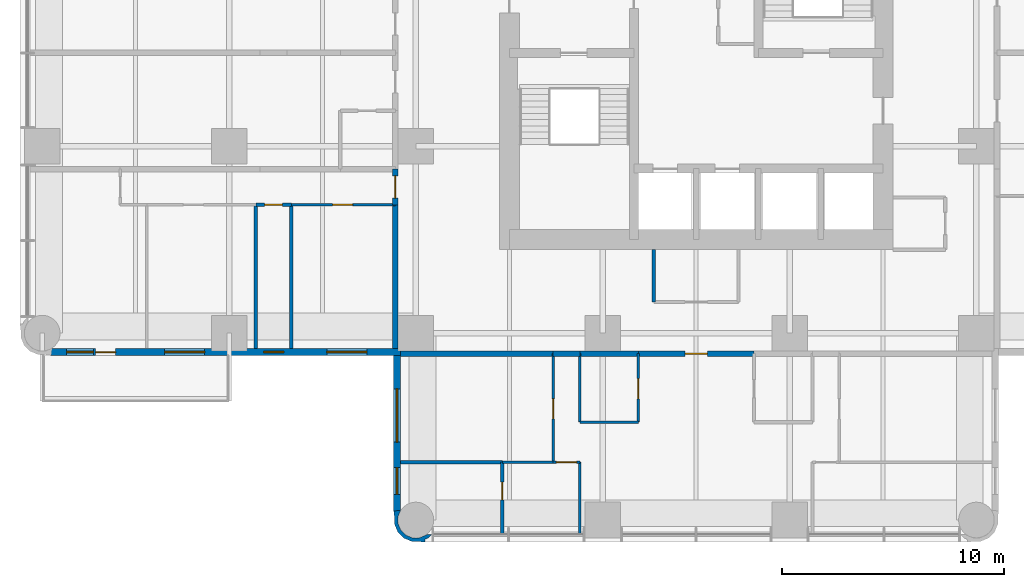
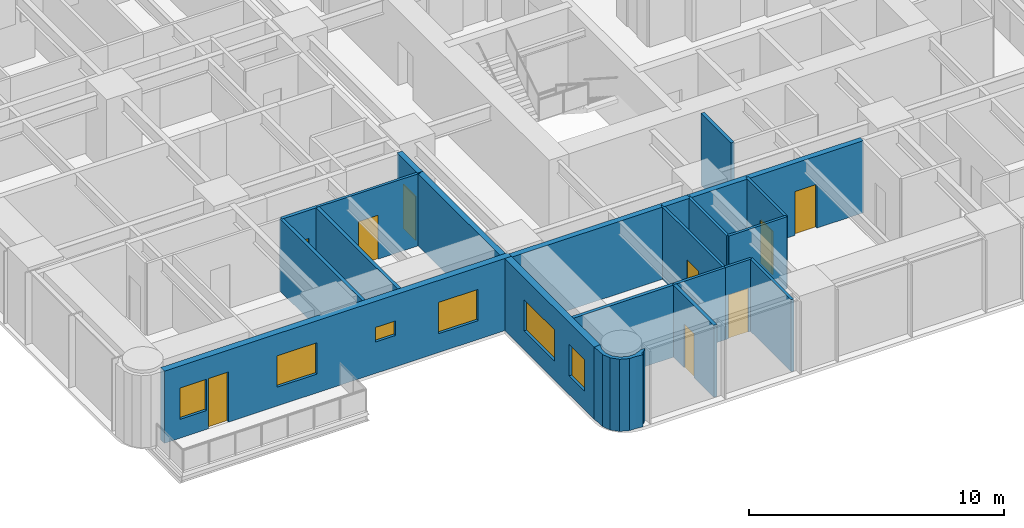
# One storey, part 6 of 14: 23 walls, 9 doors, 6 windows, 15 openings.
"""IFC4 building model written with IfcOpenShell, lengths in metres."""

import ifcopenshell
import ifcopenshell.guid

model = None  # the IFC model being written
_history = None  # IfcOwnerHistory: only IFC2X3 demands one
_inside = {}  # id of a spatial element -> (the spatial element, [elements in it])
_under = {}  # id of a project, library or spatial element -> (it, [spatial elements below it])
_declared = {}  # id of a project -> (the project, [libraries it declares])
_typed = {}  # id of a type object -> (the type object, [elements of that type])
_made_of = {}  # id of a material, layer set ... -> (it, [elements and type objects made of it])


def new_model(schema):
    """Start an empty IFC model of exactly this schema.

    Asked for "IFC4X3", IfcOpenShell would pick the latest addendum, in which some entities
    have other attributes; the version numbers below select the first issue.
    IFC2X3 requires an IfcOwnerHistory on every rooted entity: one is made here for all.
    """
    global model, _history
    if schema == "IFC4X3":
        model = ifcopenshell.file(schema_version=(4, 3, 0, 0))
    else:
        model = ifcopenshell.file(schema=schema)
    _inside.clear()
    _under.clear()
    _declared.clear()
    _typed.clear()
    _made_of.clear()
    _history = None
    if model.schema == "IFC2X3":
        org = make("IfcOrganization", Name="unknown")
        user = make(
            "IfcPersonAndOrganization",
            ThePerson=make("IfcPerson", FamilyName="unknown"),
            TheOrganization=org,
        )
        app = make(
            "IfcApplication",
            ApplicationDeveloper=org,
            Version="unknown",
            ApplicationFullName="unknown",
            ApplicationIdentifier="unknown",
        )
        _history = make(
            "IfcOwnerHistory",
            OwningUser=user,
            OwningApplication=app,
            ChangeAction="ADDED",
            CreationDate=0,
        )
    return model


def make(cls, **values):
    """One entity of the class cls with the attributes given. An attribute that is None is left unset."""
    return model.create_entity(
        cls, **{name: value for name, value in values.items() if value is not None}
    )


def rooted(cls, **values):
    """An entity with a GlobalId (a new one), such as an element, a storey or a relation."""
    return make(cls, GlobalId=ifcopenshell.guid.new(), OwnerHistory=_history, **values)


def si_unit(unit_type, name, prefix=None):
    """IfcSIUnit, for example si_unit("LENGTHUNIT", "METRE", prefix="MILLI")."""
    return make("IfcSIUnit", UnitType=unit_type, Prefix=prefix, Name=name)


def assignment(units):
    """IfcUnitAssignment: the units of a project."""
    return None if units is None else make("IfcUnitAssignment", Units=units)


def point(xyz):
    """IfcCartesianPoint."""
    return None if xyz is None else make("IfcCartesianPoint", Coordinates=xyz)


def direction(xyz):
    """IfcDirection."""
    return None if xyz is None else make("IfcDirection", DirectionRatios=xyz)


def frame(location, z_axis=None, x_axis=None):
    """IfcAxis2Placement3D, a coordinate frame: its origin and axes. An axis left out is left unset."""
    return make(
        "IfcAxis2Placement3D",
        Location=point(location),
        Axis=direction(z_axis),
        RefDirection=direction(x_axis),
    )


def frame_2d(location, x_axis=None):
    """IfcAxis2Placement2D, a coordinate frame in the plane: its origin and x axis."""
    return make(
        "IfcAxis2Placement2D", Location=point(location), RefDirection=direction(x_axis)
    )


def origin():
    """The frame at (0, 0, 0) with its axes left unset."""
    return frame((0.0, 0.0, 0.0))


def place(relative_to, where):
    """IfcLocalPlacement: puts the frame where relative to a parent placement (None: the world)."""
    return make(
        "IfcLocalPlacement", PlacementRelTo=relative_to, RelativePlacement=where
    )


def context(
    kind, dimensions, precision=None, world=None, true_north=None, identifier=None
):
    """IfcGeometricRepresentationContext, for example the 3D "Model" context."""
    return make(
        "IfcGeometricRepresentationContext",
        ContextIdentifier=identifier,
        ContextType=kind,
        CoordinateSpaceDimension=dimensions,
        Precision=precision,
        WorldCoordinateSystem=world,
        TrueNorth=true_north,
    )


def subcontext(parent, identifier, kind, view, scale=None):
    """IfcGeometricRepresentationSubContext, for example "Body" below "Model"."""
    return make(
        "IfcGeometricRepresentationSubContext",
        ContextIdentifier=identifier,
        ContextType=kind,
        ParentContext=parent,
        TargetScale=scale,
        TargetView=view,
    )


def project(units=None, contexts=None):
    """IfcProject with its units and contexts."""
    return rooted(
        "IfcProject",
        Name="project",
        RepresentationContexts=contexts,
        UnitsInContext=assignment(units),
    )


def spatial(cls, under=None, at=None, **own):
    """A site, building, storey or space (cls), placed at a placement, below another one or the project."""
    s = rooted(cls, ObjectPlacement=at, **own)
    if under is not None:
        _under.setdefault(under.id(), (under, []))[1].append(s)
    return s


def polyline(points):
    """IfcPolyline through the points."""
    return make("IfcPolyline", Points=[point(p) for p in points])


def profile(cls, at=None, kind="AREA", **sizes):
    """A parametric profile (cls). Its sizes go by their IFC names, for example OverallWidth=200.0."""
    return make(cls, ProfileType=kind, Position=at, **sizes)


def rectangle(**sizes):
    """IfcRectangleProfileDef."""
    return profile("IfcRectangleProfileDef", **sizes)


def outline(outer, holes=None, kind="AREA"):
    """IfcArbitraryClosedProfileDef: a profile drawn as a closed curve; with holes, ...WithVoids."""
    if holes is None:
        return make("IfcArbitraryClosedProfileDef", ProfileType=kind, OuterCurve=outer)
    return make(
        "IfcArbitraryProfileDefWithVoids",
        ProfileType=kind,
        OuterCurve=outer,
        InnerCurves=holes,
    )


def extrude(swept, where, along, depth):
    """IfcExtrudedAreaSolid: the profile swept, set in the frame where, extruded along a direction by depth."""
    return make(
        "IfcExtrudedAreaSolid",
        SweptArea=swept,
        Position=where,
        ExtrudedDirection=direction(along),
        Depth=depth,
    )


def shape(context_of_items, identifier, shape_type, items):
    """IfcShapeRepresentation: the items that make up one representation, for example the "Body"."""
    return make(
        "IfcShapeRepresentation",
        ContextOfItems=context_of_items,
        RepresentationIdentifier=identifier,
        RepresentationType=shape_type,
        Items=items,
    )


def material(Name=None, Category=None):
    """IfcMaterial."""
    return make("IfcMaterial", Name=Name, Category=Category)


def layer(
    of_material, thickness, ventilated=None, Name=None, Category=None, Priority=None
):
    """IfcMaterialLayer: one layer of a wall or slab, of a material (None: an air gap)."""
    return make(
        "IfcMaterialLayer",
        Material=of_material,
        LayerThickness=thickness,
        IsVentilated=ventilated,
        Name=Name,
        Category=Category,
        Priority=Priority,
    )


def layer_set(layers, Name=None):
    """IfcMaterialLayerSet."""
    return make("IfcMaterialLayerSet", MaterialLayers=layers, LayerSetName=Name)


def made_of(thing, what):
    """Note that an element or type object is made of a material, layer set ...; save() writes the relation."""
    if what is not None:
        _made_of.setdefault(what.id(), (what, []))[1].append(thing)
    return thing


def type_object(cls, material=None, **own):
    """A type object (cls), such as IfcWallType, which elements share."""
    return made_of(rooted(cls, **own), material)


def element(
    cls,
    number,
    at=None,
    inside=None,
    cuts=None,
    type_object=None,
    material=None,
    context=None,
    identifier="Body",
    shape_type=None,
    held_by="IfcProductDefinitionShape",
    body=None,
    shapes=None,
    **own,
):
    """One element of the class cls, such as IfcWall. Its Tag is "e" and its number.

    at: its placement. inside: the storey or other place that contains it. cuts: it is an
    opening in that element (IfcRelVoidsElement). A single representation is given by context,
    identifier, shape_type and body (its items); several are given by shapes. held_by: the class
    of the entity that holds the representations. save() writes the other relations.
    """
    e = rooted(cls, Tag="e%d" % number, ObjectPlacement=at, **own)
    if body is not None:
        shapes = [shape(context, identifier, shape_type, body)]
    if shapes is not None:
        e.Representation = make(held_by, Representations=shapes)
    if inside is not None:
        _inside.setdefault(inside.id(), (inside, []))[1].append(e)
    if cuts is not None:
        rooted(
            "IfcRelVoidsElement", RelatingBuildingElement=cuts, RelatedOpeningElement=e
        )
    if type_object is not None:
        _typed.setdefault(type_object.id(), (type_object, []))[1].append(e)
    return made_of(e, material)


def fill(opening, filler):
    """IfcRelFillsElement: the door or window that sits in an opening."""
    return rooted(
        "IfcRelFillsElement",
        RelatingOpeningElement=opening,
        RelatedBuildingElement=filler,
    )


def aggregate(whole, parts):
    """IfcRelAggregates: a whole, such as a stair, and the parts it consists of."""
    return rooted("IfcRelAggregates", RelatingObject=whole, RelatedObjects=parts)


def save(model, path):
    """Write the relations noted so far, then the file.

    IfcRelAggregates (storeys below a building ...), IfcRelContainedInSpatialStructure (elements
    in a storey), IfcRelDefinesByType, IfcRelAssociatesMaterial and IfcRelDeclares: one each for
    every whole, place, type object, material and project.
    """
    for whole, parts in _under.values():
        aggregate(whole, parts)
    for where, things in _inside.values():
        rooted(
            "IfcRelContainedInSpatialStructure",
            RelatedElements=things,
            RelatingStructure=where,
        )
    for kind, things in _typed.values():
        rooted("IfcRelDefinesByType", RelatedObjects=things, RelatingType=kind)
    for what, things in _made_of.values():
        rooted("IfcRelAssociatesMaterial", RelatedObjects=things, RelatingMaterial=what)
    for by, libraries in _declared.values():
        rooted("IfcRelDeclares", RelatingContext=by, RelatedDefinitions=libraries)
    model.write(path)


model = new_model("IFC4")

# Units and contexts
model_context = context("Model", 3, precision=1e-05, world=origin(), true_north=direction((0.0, 1.0)))
body_context = subcontext(model_context, "Body", "Model", "MODEL_VIEW")
ifc_project = project(units=[si_unit("LENGTHUNIT", "METRE"), si_unit("AREAUNIT", "SQUARE_METRE"), si_unit("VOLUMEUNIT", "CUBIC_METRE"), si_unit("PLANEANGLEUNIT", "RADIAN"), si_unit("MASSUNIT", "GRAM", prefix="KILO")], contexts=[model_context])

# Site, building, storey
site_placement = place(None, origin())
site = spatial("IfcSite", under=ifc_project, at=site_placement, CompositionType="ELEMENT")
building_placement = place(site_placement, origin())
building = spatial("IfcBuilding", under=site, at=building_placement, Name="Torre Alcanfor", CompositionType="ELEMENT")
storey_placement = place(building_placement, frame((0.0, 0.0, 141.300048828125)))
storey = spatial("IfcBuildingStorey", under=building, at=storey_placement, Name="L36", CompositionType="ELEMENT", Elevation=141.300048828125)

# Wall, opening, door
ifc_material_1 = material(Name="Concrete block masonry, hollow blocks NMX-C-404 9 MPa", Category="masonry")
ifc_layer_1 = layer(ifc_material_1, 0.25)
ifc_layer_set_1 = layer_set([ifc_layer_1], Name="Apartment entrance wall 250 EI 60")
wall_type_1 = type_object("IfcWallType", Name="Apartment entrance wall 250 EI 60", PredefinedType="PARTITIONING", material=ifc_layer_set_1)
wall_1_placement = place(storey_placement, frame((32.0, 15.875, 0.0), z_axis=(0.0, 0.0, 1.0), x_axis=(-1.0, 0.0, 0.0)))
wall_1 = element("IfcWall", 1, at=wall_1_placement, inside=storey, type_object=wall_type_1, Name="Partition L36-CORR / L36-SX-ZAG", PredefinedType="PARTITIONING", context=body_context, shape_type="SweptSolid", body=[
    extrude(rectangle(XDim=5.199951171875, YDim=0.25, at=frame_2d((2.60009765625, 0.0))), origin(), (0.0, 0.0, 1.0), 3.449951171875),
])
opening_1_placement = place(wall_1_placement, frame((2.10009765625, 0.0, 0.0)))
opening_1 = element("IfcOpeningElement", 2, at=opening_1_placement, cuts=wall_1, Name="Opening D-A1", PredefinedType="OPENING", context=body_context, shape_type="SweptSolid", body=[
    extrude(rectangle(XDim=1.0, YDim=2.10009765625, at=frame_2d((0.5, 1.050048828125))), frame((0.0, 0.135009765625, 0.0), z_axis=(0.0, -1.0, 0.0), x_axis=(1.0, 0.0, 0.0)), (0.0, 0.0, 1.0), 0.27001953125),
])
ifc_material_2 = material(Name="Galvanised steel sheet ASTM A653", Category="steel")
door_type_1 = type_object("IfcDoorType", Name="Apartment entrance door FD60 1000x2100", OperationType="SINGLE_SWING_LEFT", PredefinedType="DOOR", material=ifc_material_2)
door_1_placement = place(opening_1_placement, origin())
door_1 = element("IfcDoor", 3, at=door_1_placement, inside=storey, type_object=door_type_1, Name="Apartment entrance L36-SX", OperationType="SINGLE_SWING_LEFT", OverallHeight=2.10009765625, OverallWidth=1.0, PredefinedType="DOOR", context=body_context, shape_type="SweptSolid", body=[
    extrude(rectangle(XDim=1.0, YDim=2.10009765625, at=frame_2d((0.5, 1.050048828125))), frame((0.0, 0.02490234375, 0.0), z_axis=(0.0, -1.0, 0.0), x_axis=(1.0, 0.0, 0.0)), (0.0, 0.0, 1.0), 0.050048828125),
])
fill(opening_1, door_1)

# Walls
wall_2_placement = place(storey_placement, frame((26.800048828125, 15.875, 0.0), z_axis=(0.0, 0.0, 1.0), x_axis=(-1.0, 0.0, 0.0)))
element("IfcWall", 4, at=wall_2_placement, inside=storey, type_object=wall_type_1, Name="Partition L36-CORR / L36-SX-KITCHEN", PredefinedType="PARTITIONING", context=body_context, shape_type="SweptSolid", body=[
    extrude(rectangle(XDim=2.629150390625, YDim=0.25, at=frame_2d((1.314453125, 0.0))), origin(), (0.0, 0.0, 1.0), 3.449951171875),
])
wall_3_placement = place(storey_placement, frame((24.1708984375, 15.875, 0.0), z_axis=(0.0, 0.0, 1.0), x_axis=(-1.0, 0.0, 0.0)))
element("IfcWall", 5, at=wall_3_placement, inside=storey, type_object=wall_type_1, Name="Partition L36-CORR / L36-SX-LIVING", PredefinedType="PARTITIONING", context=body_context, shape_type="SweptSolid", body=[
    extrude(rectangle(XDim=1.199951171875, YDim=0.25, at=frame_2d((0.60009765625, 0.0))), origin(), (0.0, 0.0, 1.0), 3.449951171875),
])
wall_4_placement = place(storey_placement, frame((22.970947265625, 15.875, 0.0), z_axis=(0.0, 0.0, 1.0), x_axis=(-1.0, 0.0, 0.0)))
element("IfcWall", 6, at=wall_4_placement, inside=storey, type_object=wall_type_1, Name="Partition L36-CORR / L36-SX-BED3", PredefinedType="PARTITIONING", context=body_context, shape_type="SweptSolid", body=[
    extrude(rectangle(XDim=6.870849609375, YDim=0.25, at=frame_2d((3.435546875, 0.0))), origin(), (0.0, 0.0, 1.0), 3.449951171875),
])

# Wall, opening, door
wall_5_placement = place(storey_placement, frame((15.875, 22.571044921875, 0.0), z_axis=(0.0, 0.0, 1.0), x_axis=(0.0, 1.0, 0.0)))
wall_5 = element("IfcWall", 7, at=wall_5_placement, inside=storey, type_object=wall_type_1, Name="Partition L36-CORR / L36-W1B-HALL", PredefinedType="PARTITIONING", context=body_context, shape_type="SweptSolid", body=[
    extrude(rectangle(XDim=1.599853515625, YDim=0.25, at=frame_2d((0.7998046875, 0.0))), origin(), (0.0, 0.0, 1.0), 3.449951171875),
])
opening_2_placement = place(wall_5_placement, frame((0.300048828125, 0.0, 0.0)))
opening_2 = element("IfcOpeningElement", 8, at=opening_2_placement, cuts=wall_5, Name="Opening D-A1", PredefinedType="OPENING", context=body_context, shape_type="SweptSolid", body=[
    extrude(rectangle(XDim=1.0, YDim=2.10009765625, at=frame_2d((0.5, 1.050048828125))), frame((0.0, 0.135009765625, 0.0), z_axis=(0.0, -1.0, 0.0), x_axis=(1.0, 0.0, 0.0)), (0.0, 0.0, 1.0), 0.27001953125),
])
door_2_placement = place(opening_2_placement, origin())
door_2 = element("IfcDoor", 9, at=door_2_placement, inside=storey, type_object=door_type_1, Name="Apartment entrance L36-W1B", OperationType="SINGLE_SWING_LEFT", OverallHeight=2.10009765625, OverallWidth=1.0, PredefinedType="DOOR", context=body_context, shape_type="SweptSolid", body=[
    extrude(rectangle(XDim=1.0, YDim=2.10009765625, at=frame_2d((0.5, 1.050048828125))), frame((0.0, 0.02490234375, 0.0), z_axis=(0.0, -1.0, 0.0), x_axis=(1.0, 0.0, 0.0)), (0.0, 0.0, 1.0), 0.050048828125),
])
fill(opening_2, door_2)

# Wall
wall_6_placement = place(storey_placement, frame((15.875, 16.10009765625, 0.0), z_axis=(0.0, 0.0, 1.0), x_axis=(0.0, 1.0, 0.0)))
element("IfcWall", 10, at=wall_6_placement, inside=storey, type_object=wall_type_1, Name="Partition L36-CORR / L36-W1B-BED2", PredefinedType="PARTITIONING", context=body_context, shape_type="SweptSolid", body=[
    extrude(rectangle(XDim=6.470947265625, YDim=0.25, at=frame_2d((3.2353515625, 0.0))), origin(), (0.0, 0.0, 1.0), 3.449951171875),
])

# Wall, opening, door
ifc_material_3 = material(Name="Gypsum board on steel studs", Category="steel")
ifc_layer_2 = layer(ifc_material_3, 0.1201171875)
ifc_layer_set_2 = layer_set([ifc_layer_2], Name="Apartment partition 120")
wall_type_2 = type_object("IfcWallType", Name="Apartment partition 120", PredefinedType="PARTITIONING", material=ifc_layer_set_2)
wall_7_placement = place(storey_placement, frame((26.800048828125, 15.875, 0.0), z_axis=(0.0, 0.0, 1.0), x_axis=(0.0, -1.0, 0.0)))
wall_7 = element("IfcWall", 11, at=wall_7_placement, inside=storey, type_object=wall_type_2, Name="Partition L36-SX-ZAG / L36-SX-KITCHEN", PredefinedType="PARTITIONING", context=body_context, shape_type="SweptSolid", body=[
    extrude(rectangle(XDim=3.074951171875, YDim=0.1201171875, at=frame_2d((1.53759765625, 0.0))), origin(), (0.0, 0.0, 1.0), 3.449951171875),
])
opening_3_placement = place(wall_7_placement, frame((1.125, 0.0, 0.0)))
opening_3 = element("IfcOpeningElement", 12, at=opening_3_placement, cuts=wall_7, Name="Opening D-R1", PredefinedType="OPENING", context=body_context, shape_type="SweptSolid", body=[
    extrude(rectangle(XDim=0.89990234375, YDim=2.10009765625, at=frame_2d((0.449951171875, 1.050048828125))), frame((0.0, 0.070068359375, 0.0), z_axis=(0.0, -1.0, 0.0), x_axis=(1.0, 0.0, 0.0)), (0.0, 0.0, 1.0), 0.14013671875),
])
ifc_material_4 = material(Name="Timber", Category="wood")
door_type_2 = type_object("IfcDoorType", Name="Internal door 900x2100", OperationType="SINGLE_SWING_LEFT", PredefinedType="DOOR", material=ifc_material_4)
door_3_placement = place(opening_3_placement, frame((0.89990234375, 0.0, 0.0), z_axis=(0.0, 0.0, 1.0), x_axis=(-1.0, 0.0, 0.0)))
door_3 = element("IfcDoor", 13, at=door_3_placement, inside=storey, type_object=door_type_2, Name="Door L36-SX kitchen", OperationType="SINGLE_SWING_LEFT", OverallHeight=2.10009765625, OverallWidth=0.89990234375, PredefinedType="DOOR", context=body_context, shape_type="SweptSolid", body=[
    extrude(rectangle(XDim=0.89990234375, YDim=2.10009765625, at=frame_2d((0.449951171875, 1.050048828125))), frame((0.0, 0.025146484375, 0.0), z_axis=(0.0, -1.0, 0.0), x_axis=(1.0, 0.0, 0.0)), (0.0, 0.0, 1.0), 0.050048828125),
])
fill(opening_3, door_3)

# Walls
wall_8_placement = place(storey_placement, frame((24.1708984375, 15.875, 0.0), z_axis=(0.0, 0.0, 1.0), x_axis=(0.0, -1.0, 0.0)))
element("IfcWall", 14, at=wall_8_placement, inside=storey, type_object=wall_type_2, Name="Partition L36-SX-KITCHEN / L36-SX-LIVING", PredefinedType="PARTITIONING", context=body_context, shape_type="SweptSolid", body=[
    extrude(rectangle(XDim=3.074951171875, YDim=0.1201171875, at=frame_2d((1.53759765625, 0.0))), origin(), (0.0, 0.0, 1.0), 3.449951171875),
])
wall_9_placement = place(storey_placement, frame((24.1708984375, 12.800048828125, 0.0), z_axis=(0.0, 0.0, 1.0), x_axis=(1.0, 0.0, 0.0)))
element("IfcWall", 15, at=wall_9_placement, inside=storey, type_object=wall_type_2, Name="Partition L36-SX-KITCHEN / L36-SX-LIVING", PredefinedType="PARTITIONING", context=body_context, shape_type="SweptSolid", body=[
    extrude(rectangle(XDim=2.629150390625, YDim=0.1201171875, at=frame_2d((1.314453125, 0.0))), origin(), (0.0, 0.0, 1.0), 3.449951171875),
])

# Wall, opening, door
wall_10_placement = place(storey_placement, frame((22.970947265625, 11.0, 0.0), z_axis=(0.0, 0.0, 1.0), x_axis=(0.0, 1.0, 0.0)))
wall_10 = element("IfcWall", 16, at=wall_10_placement, inside=storey, type_object=wall_type_2, Name="Partition L36-SX-LIVING / L36-SX-BED3", PredefinedType="PARTITIONING", context=body_context, shape_type="SweptSolid", body=[
    extrude(rectangle(XDim=4.875, YDim=0.1201171875, at=frame_2d((2.4375, 0.0))), origin(), (0.0, 0.0, 1.0), 3.449951171875),
])
opening_4_placement = place(wall_10_placement, frame((1.949951171875, 0.0, 0.0)))
opening_4 = element("IfcOpeningElement", 17, at=opening_4_placement, cuts=wall_10, Name="Opening D-R1", PredefinedType="OPENING", context=body_context, shape_type="SweptSolid", body=[
    extrude(rectangle(XDim=0.89990234375, YDim=2.10009765625, at=frame_2d((0.449951171875, 1.050048828125))), frame((0.0, 0.070068359375, 0.0), z_axis=(0.0, -1.0, 0.0), x_axis=(1.0, 0.0, 0.0)), (0.0, 0.0, 1.0), 0.14013671875),
])
door_4_placement = place(opening_4_placement, origin())
door_4 = element("IfcDoor", 18, at=door_4_placement, inside=storey, type_object=door_type_2, Name="Door L36-SX bed3", OperationType="SINGLE_SWING_LEFT", OverallHeight=2.10009765625, OverallWidth=0.89990234375, PredefinedType="DOOR", context=body_context, shape_type="SweptSolid", body=[
    extrude(rectangle(XDim=0.89990234375, YDim=2.10009765625, at=frame_2d((0.449951171875, 1.050048828125))), frame((0.0, 0.02490234375, 0.0), z_axis=(0.0, -1.0, 0.0), x_axis=(1.0, 0.0, 0.0)), (0.0, 0.0, 1.0), 0.050048828125),
])
fill(opening_4, door_4)

# Wall
wall_11_placement = place(storey_placement, frame((24.1708984375, 7.75, 0.0), z_axis=(0.0, 0.0, 1.0), x_axis=(0.0, 1.0, 0.0)))
element("IfcWall", 19, at=wall_11_placement, inside=storey, type_object=wall_type_2, Name="Partition L36-SX-LIVING / L36-SX-BED1", PredefinedType="PARTITIONING", context=body_context, shape_type="SweptSolid", body=[
    extrude(rectangle(XDim=3.25, YDim=0.1201171875, at=frame_2d((1.625, 0.0))), origin(), (0.0, 0.0, 1.0), 3.449951171875),
])

# Wall, opening, door
wall_12_placement = place(storey_placement, frame((24.1708984375, 11.0, 0.0), z_axis=(0.0, 0.0, 1.0), x_axis=(-1.0, 0.0, 0.0)))
wall_12 = element("IfcWall", 20, at=wall_12_placement, inside=storey, type_object=wall_type_2, Name="Partition L36-SX-LIVING / L36-SX-BED1", PredefinedType="PARTITIONING", context=body_context, shape_type="SweptSolid", body=[
    extrude(rectangle(XDim=1.199951171875, YDim=0.1201171875, at=frame_2d((0.60009765625, 0.0))), origin(), (0.0, 0.0, 1.0), 3.449951171875),
])
opening_5_placement = place(wall_12_placement, frame((0.15087890625, 0.0, 0.0)))
opening_5 = element("IfcOpeningElement", 21, at=opening_5_placement, cuts=wall_12, Name="Opening D-R1", PredefinedType="OPENING", context=body_context, shape_type="SweptSolid", body=[
    extrude(rectangle(XDim=0.89990234375, YDim=2.10009765625, at=frame_2d((0.449951171875, 1.050048828125))), frame((0.0, 0.070068359375, 0.0), z_axis=(0.0, -1.0, 0.0), x_axis=(1.0, 0.0, 0.0)), (0.0, 0.0, 1.0), 0.14013671875),
])
door_5_placement = place(opening_5_placement, origin())
door_5 = element("IfcDoor", 22, at=door_5_placement, inside=storey, type_object=door_type_2, Name="Door L36-SX bed1", OperationType="SINGLE_SWING_LEFT", OverallHeight=2.10009765625, OverallWidth=0.89990234375, PredefinedType="DOOR", context=body_context, shape_type="SweptSolid", body=[
    extrude(rectangle(XDim=0.89990234375, YDim=2.10009765625, at=frame_2d((0.449951171875, 1.050048828125))), frame((0.0, 0.02490234375, 0.0), z_axis=(0.0, -1.0, 0.0), x_axis=(1.0, 0.0, 0.0)), (0.0, 0.0, 1.0), 0.050048828125),
])
fill(opening_5, door_5)

# Wall
wall_13_placement = place(storey_placement, frame((20.68603515625, 11.0, 0.0), z_axis=(0.0, 0.0, 1.0), x_axis=(1.0, 0.0, 0.0)))
element("IfcWall", 23, at=wall_13_placement, inside=storey, type_object=wall_type_2, Name="Partition L36-SX-BED3 / L36-SX-BED1", PredefinedType="PARTITIONING", context=body_context, shape_type="SweptSolid", body=[
    extrude(rectangle(XDim=2.284912109375, YDim=0.1201171875, at=frame_2d((1.142578125, 0.0))), origin(), (0.0, 0.0, 1.0), 3.449951171875),
])

# Wall, opening, door
wall_14_placement = place(storey_placement, frame((11.199951171875, 22.571044921875, 0.0), z_axis=(0.0, 0.0, 1.0), x_axis=(1.0, 0.0, 0.0)))
wall_14 = element("IfcWall", 24, at=wall_14_placement, inside=storey, type_object=wall_type_2, Name="Partition L36-W1B-HALL / L36-W1B-BED2", PredefinedType="PARTITIONING", context=body_context, shape_type="SweptSolid", body=[
    extrude(rectangle(XDim=4.675048828125, YDim=0.1201171875, at=frame_2d((2.33740234375, 0.0))), origin(), (0.0, 0.0, 1.0), 3.449951171875),
])
opening_6_placement = place(wall_14_placement, frame((1.85009765625, 0.0, 0.0)))
opening_6 = element("IfcOpeningElement", 25, at=opening_6_placement, cuts=wall_14, Name="Opening D-R1", PredefinedType="OPENING", context=body_context, shape_type="SweptSolid", body=[
    extrude(rectangle(XDim=0.89990234375, YDim=2.10009765625, at=frame_2d((0.449951171875, 1.050048828125))), frame((0.0, 0.070068359375, 0.0), z_axis=(0.0, -1.0, 0.0), x_axis=(1.0, 0.0, 0.0)), (0.0, 0.0, 1.0), 0.14013671875),
])
door_6_placement = place(opening_6_placement, frame((0.89990234375, 0.0, 0.0), z_axis=(0.0, 0.0, 1.0), x_axis=(-1.0, 0.0, 0.0)))
door_6 = element("IfcDoor", 26, at=door_6_placement, inside=storey, type_object=door_type_2, Name="Door L36-W1B bed2", OperationType="SINGLE_SWING_RIGHT", OverallHeight=2.10009765625, OverallWidth=0.89990234375, PredefinedType="DOOR", context=body_context, shape_type="SweptSolid", body=[
    extrude(rectangle(XDim=0.89990234375, YDim=2.10009765625, at=frame_2d((0.449951171875, 1.050048828125))), frame((0.0, 0.025146484375, 0.0), z_axis=(0.0, -1.0, 0.0), x_axis=(1.0, 0.0, 0.0)), (0.0, 0.0, 1.0), 0.050048828125),
])
fill(opening_6, door_6)

# Wall, openings, door, windows
ifc_material_5 = material(Name="Limestone cladding", Category="masonry")
ifc_layer_3 = layer(ifc_material_5, 0.0400390625, Name="Facing")
ifc_material_6 = material(Name="Ventilated air cavity")
ifc_layer_4 = layer(ifc_material_6, 0.02001953125, ventilated=True, Name="Ventilated joint")
ifc_material_7 = material(Name="Mineral wool insulation", Category="insulation")
ifc_layer_5 = layer(ifc_material_7, 0.10009765625, Name="Insulation")
ifc_material_8 = material(Name="Concrete f'c 35 MPa", Category="concrete")
ifc_layer_6 = layer(ifc_material_8, 0.139892578125, Name="Backing")
ifc_layer_set_3 = layer_set([ifc_layer_3, ifc_layer_4, ifc_layer_5, ifc_layer_6], Name="External wall stone-clad 300")
wall_type_3 = type_object("IfcWallType", Name="External wall stone-clad 300", PredefinedType="SOLIDWALL", material=ifc_layer_set_3)
wall_15_placement = place(storey_placement, frame((0.39990234375, 15.949951171875, 0.0), z_axis=(0.0, 0.0, 1.0), x_axis=(1.0, 0.0, 0.0)))
wall_15 = element("IfcWall", 27, at=wall_15_placement, inside=storey, type_object=wall_type_3, Name="External wall L36 3", PredefinedType="SOLIDWALL", context=body_context, shape_type="SweptSolid", body=[
    extrude(rectangle(XDim=15.7001953125, YDim=0.300048828125, at=frame_2d((7.85009765625, 0.0))), origin(), (0.0, 0.0, 1.0), 3.449951171875),
])
opening_7_placement = place(wall_15_placement, frame((12.39990234375, 0.0, 0.89990234375)))
opening_7 = element("IfcOpeningElement", 28, at=opening_7_placement, cuts=wall_15, Name="Opening W2", PredefinedType="OPENING", context=body_context, shape_type="SweptSolid", body=[
    extrude(rectangle(XDim=1.800048828125, YDim=1.5, at=frame_2d((0.89990234375, 0.75))), frame((0.0, 0.159912109375, 0.0), z_axis=(0.0, -1.0, 0.0), x_axis=(1.0, 0.0, 0.0)), (0.0, 0.0, 1.0), 0.320068359375),
])
opening_8_placement = place(wall_15_placement, frame((9.550048828125, 0.0, 1.5)))
opening_8 = element("IfcOpeningElement", 29, at=opening_8_placement, cuts=wall_15, Name="Opening W3", PredefinedType="OPENING", context=body_context, shape_type="SweptSolid", body=[
    extrude(rectangle(XDim=0.89990234375, YDim=0.699951171875, at=frame_2d((0.449951171875, 0.35009765625))), frame((0.0, 0.159912109375, 0.0), z_axis=(0.0, -1.0, 0.0), x_axis=(1.0, 0.0, 0.0)), (0.0, 0.0, 1.0), 0.320068359375),
])
opening_9_placement = place(wall_15_placement, frame((5.10009765625, 0.0, 0.89990234375)))
opening_9 = element("IfcOpeningElement", 30, at=opening_9_placement, cuts=wall_15, Name="Opening W2", PredefinedType="OPENING", context=body_context, shape_type="SweptSolid", body=[
    extrude(rectangle(XDim=1.800048828125, YDim=1.5, at=frame_2d((0.89990234375, 0.75))), frame((0.0, 0.159912109375, 0.0), z_axis=(0.0, -1.0, 0.0), x_axis=(1.0, 0.0, 0.0)), (0.0, 0.0, 1.0), 0.320068359375),
])
opening_10_placement = place(wall_15_placement, frame((2.0, 0.0, 0.0)))
opening_10 = element("IfcOpeningElement", 31, at=opening_10_placement, cuts=wall_15, Name="Opening D-B1", PredefinedType="OPENING", context=body_context, shape_type="SweptSolid", body=[
    extrude(rectangle(XDim=0.89990234375, YDim=2.39990234375, at=frame_2d((0.449951171875, 1.199951171875))), frame((0.0, 0.159912109375, 0.0), z_axis=(0.0, -1.0, 0.0), x_axis=(1.0, 0.0, 0.0)), (0.0, 0.0, 1.0), 0.320068359375),
])
opening_11_placement = place(wall_15_placement, frame((0.699951171875, 0.0, 0.89990234375)))
opening_11 = element("IfcOpeningElement", 32, at=opening_11_placement, cuts=wall_15, Name="Opening W4", PredefinedType="OPENING", context=body_context, shape_type="SweptSolid", body=[
    extrude(rectangle(XDim=1.199951171875, YDim=1.5, at=frame_2d((0.60009765625, 0.75))), frame((0.0, 0.159912109375, 0.0), z_axis=(0.0, -1.0, 0.0), x_axis=(1.0, 0.0, 0.0)), (0.0, 0.0, 1.0), 0.320068359375),
])
ifc_material_9 = material(Name="Aluminium and glass", Category="aluminium")
door_type_3 = type_object("IfcDoorType", Name="Balcony door glazed 900x2400", OperationType="SINGLE_SWING_LEFT", PredefinedType="DOOR", material=ifc_material_9)
door_7_placement = place(opening_10_placement, origin())
door_7 = element("IfcDoor", 33, at=door_7_placement, inside=storey, type_object=door_type_3, Name="Balcony door L36-W1", OperationType="SINGLE_SWING_RIGHT", OverallHeight=2.39990234375, OverallWidth=0.89990234375, PredefinedType="DOOR", context=body_context, shape_type="SweptSolid", body=[
    extrude(rectangle(XDim=0.89990234375, YDim=2.39990234375, at=frame_2d((0.449951171875, 1.199951171875))), frame((0.0, 0.02490234375, 0.0), z_axis=(0.0, -1.0, 0.0), x_axis=(1.0, 0.0, 0.0)), (0.0, 0.0, 1.0), 0.050048828125),
])
fill(opening_10, door_7)
ifc_material_10 = material(Name="Aluminium frame with clear double glazing", Category="aluminium")
window_type_1 = type_object("IfcWindowType", Name="Window bathroom 900x700", PartitioningType="SINGLE_PANEL", PredefinedType="WINDOW", material=ifc_material_10)
window_1_placement = place(opening_8_placement, origin())
window_1 = element("IfcWindow", 34, at=window_1_placement, inside=storey, type_object=window_type_1, Name="Window W3 L36-W1", OverallHeight=0.699951171875, OverallWidth=0.89990234375, PartitioningType="SINGLE_PANEL", PredefinedType="WINDOW", context=body_context, shape_type="SweptSolid", body=[
    extrude(rectangle(XDim=0.89990234375, YDim=0.699951171875, at=frame_2d((0.449951171875, 0.35009765625))), frame((0.0, 0.030029296875, 0.0), z_axis=(0.0, -1.0, 0.0), x_axis=(1.0, 0.0, 0.0)), (0.0, 0.0, 1.0), 0.06005859375),
])
fill(opening_8, window_1)
ifc_material_11 = material(Name="Aluminium frame with clear double glazing", Category="aluminium")
window_type_2 = type_object("IfcWindowType", Name="Window bedroom 1200x1500", PartitioningType="SINGLE_PANEL", PredefinedType="WINDOW", material=ifc_material_11)
window_2_placement = place(opening_11_placement, origin())
window_2 = element("IfcWindow", 35, at=window_2_placement, inside=storey, type_object=window_type_2, Name="Window W4 L36-W1", OverallHeight=1.5, OverallWidth=1.199951171875, PartitioningType="SINGLE_PANEL", PredefinedType="WINDOW", context=body_context, shape_type="SweptSolid", body=[
    extrude(rectangle(XDim=1.199951171875, YDim=1.5, at=frame_2d((0.60009765625, 0.75))), frame((0.0, 0.030029296875, 0.0), z_axis=(0.0, -1.0, 0.0), x_axis=(1.0, 0.0, 0.0)), (0.0, 0.0, 1.0), 0.06005859375),
])
fill(opening_11, window_2)
ifc_material_12 = material(Name="Aluminium frame with clear double glazing", Category="aluminium")
window_type_3 = type_object("IfcWindowType", Name="Window bedroom 1800x1500", PartitioningType="SINGLE_PANEL", PredefinedType="WINDOW", material=ifc_material_12)
window_3_placement = place(opening_7_placement, origin())
window_3 = element("IfcWindow", 36, at=window_3_placement, inside=storey, type_object=window_type_3, Name="Window W2 L36-W1", OverallHeight=1.5, OverallWidth=1.800048828125, PartitioningType="SINGLE_PANEL", PredefinedType="WINDOW", context=body_context, shape_type="SweptSolid", body=[
    extrude(rectangle(XDim=1.800048828125, YDim=1.5, at=frame_2d((0.89990234375, 0.75))), frame((0.0, 0.030029296875, 0.0), z_axis=(0.0, -1.0, 0.0), x_axis=(1.0, 0.0, 0.0)), (0.0, 0.0, 1.0), 0.06005859375),
])
fill(opening_7, window_3)
window_4_placement = place(opening_9_placement, origin())
window_4 = element("IfcWindow", 37, at=window_4_placement, inside=storey, type_object=window_type_3, Name="Window W2 L36-W1", OverallHeight=1.5, OverallWidth=1.800048828125, PartitioningType="SINGLE_PANEL", PredefinedType="WINDOW", context=body_context, shape_type="SweptSolid", body=[
    extrude(rectangle(XDim=1.800048828125, YDim=1.5, at=frame_2d((0.89990234375, 0.75))), frame((0.0, 0.030029296875, 0.0), z_axis=(0.0, -1.0, 0.0), x_axis=(1.0, 0.0, 0.0)), (0.0, 0.0, 1.0), 0.06005859375),
])
fill(opening_9, window_4)

# Wall, openings, windows
wall_16_placement = place(storey_placement, frame((15.949951171875, 15.800048828125, 0.0), z_axis=(0.0, 0.0, 1.0), x_axis=(0.0, -1.0, 0.0)))
wall_16 = element("IfcWall", 38, at=wall_16_placement, inside=storey, type_object=wall_type_3, Name="External wall L36 4", PredefinedType="SOLIDWALL", context=body_context, shape_type="SweptSolid", body=[
    extrude(rectangle(XDim=7.0, YDim=0.300048828125, at=frame_2d((3.5, 0.0))), origin(), (0.0, 0.0, 1.0), 3.449951171875),
])
opening_12_placement = place(wall_16_placement, frame((1.5, 0.0, 0.89990234375)))
opening_12 = element("IfcOpeningElement", 39, at=opening_12_placement, cuts=wall_16, Name="Opening W1", PredefinedType="OPENING", context=body_context, shape_type="SweptSolid", body=[
    extrude(rectangle(XDim=2.39990234375, YDim=1.5, at=frame_2d((1.199951171875, 0.75))), frame((0.0, 0.159912109375, 0.0), z_axis=(0.0, -1.0, 0.0), x_axis=(1.0, 0.0, 0.0)), (0.0, 0.0, 1.0), 0.320068359375),
])
opening_13_placement = place(wall_16_placement, frame((5.050048828125, 0.0, 0.89990234375)))
opening_13 = element("IfcOpeningElement", 40, at=opening_13_placement, cuts=wall_16, Name="Opening W4", PredefinedType="OPENING", context=body_context, shape_type="SweptSolid", body=[
    extrude(rectangle(XDim=1.199951171875, YDim=1.5, at=frame_2d((0.60009765625, 0.75))), frame((0.0, 0.159912109375, 0.0), z_axis=(0.0, -1.0, 0.0), x_axis=(1.0, 0.0, 0.0)), (0.0, 0.0, 1.0), 0.320068359375),
])
window_5_placement = place(opening_13_placement, origin())
window_5 = element("IfcWindow", 41, at=window_5_placement, inside=storey, type_object=window_type_2, Name="Window W4 L36-S2", OverallHeight=1.5, OverallWidth=1.199951171875, PartitioningType="SINGLE_PANEL", PredefinedType="WINDOW", context=body_context, shape_type="SweptSolid", body=[
    extrude(rectangle(XDim=1.199951171875, YDim=1.5, at=frame_2d((0.60009765625, 0.75))), frame((0.0, 0.030029296875, 0.0), z_axis=(0.0, -1.0, 0.0), x_axis=(1.0, 0.0, 0.0)), (0.0, 0.0, 1.0), 0.06005859375),
])
fill(opening_13, window_5)
ifc_material_13 = material(Name="Aluminium frame with clear double glazing", Category="aluminium")
window_type_4 = type_object("IfcWindowType", Name="Window bedroom 2400x1500", PartitioningType="SINGLE_PANEL", PredefinedType="WINDOW", material=ifc_material_13)
window_6_placement = place(opening_12_placement, origin())
window_6 = element("IfcWindow", 42, at=window_6_placement, inside=storey, type_object=window_type_4, Name="Window W1 L36-S2", OverallHeight=1.5, OverallWidth=2.39990234375, PartitioningType="SINGLE_PANEL", PredefinedType="WINDOW", context=body_context, shape_type="SweptSolid", body=[
    extrude(rectangle(XDim=2.39990234375, YDim=1.5, at=frame_2d((1.199951171875, 0.75))), frame((0.0, 0.030029296875, 0.0), z_axis=(0.0, -1.0, 0.0), x_axis=(1.0, 0.0, 0.0)), (0.0, 0.0, 1.0), 0.06005859375),
])
fill(opening_12, window_6)

# Walls
ifc_material_14 = material(Name="Concrete block masonry, hollow blocks NMX-C-404 9 MPa", Category="masonry")
ifc_layer_7 = layer(ifc_material_14, 0.14990234375)
ifc_layer_set_4 = layer_set([ifc_layer_7], Name="Residents' room partition 150")
wall_type_4 = type_object("IfcWallType", Name="Residents' room partition 150", PredefinedType="PARTITIONING", material=ifc_layer_set_4)
wall_17_placement = place(storey_placement, frame((27.5, 20.550048828125, 0.0), z_axis=(0.0, 0.0, 1.0), x_axis=(0.0, -1.0, 0.0)))
element("IfcWall", 43, at=wall_17_placement, inside=storey, type_object=wall_type_4, Name="Partition L36-CORR / L36-G05", PredefinedType="PARTITIONING", context=body_context, shape_type="SweptSolid", body=[
    extrude(rectangle(XDim=2.35009765625, YDim=0.14990234375, at=frame_2d((1.175048828125, 0.0))), origin(), (0.0, 0.0, 1.0), 3.449951171875),
])
ifc_layer_8 = layer(ifc_material_5, 0.0400390625, Name="Facing")
ifc_layer_9 = layer(ifc_material_6, 0.02001953125, ventilated=True, Name="Ventilated joint")
ifc_layer_10 = layer(ifc_material_7, 0.10009765625, Name="Insulation")
ifc_layer_11 = layer(ifc_material_8, 0.139892578125, Name="Backing")
ifc_layer_set_5 = layer_set([ifc_layer_8, ifc_layer_9, ifc_layer_10, ifc_layer_11], Name="Rounded corner pier stone-clad 300")
wall_type_5 = type_object("IfcWallType", Name="Rounded corner pier stone-clad 300", PredefinedType="SOLIDWALL", material=ifc_layer_set_5)
wall_18_placement = place(storey_placement, frame((15.982940512, 8.726823795, 0.0), z_axis=(0.0, 0.0, 1.0), x_axis=(-0.343276641956, -0.93923434088, 0.0)))
element("IfcWall", 44, at=wall_18_placement, inside=storey, type_object=wall_type_5, Name="Corner pier L36 15", PredefinedType="SOLIDWALL", context=body_context, shape_type="SweptSolid", body=[
    extrude(outline(polyline([(0.8285188621172053, 1.5985593448955209), (0.6965961152022397, 1.5690588556644411), (0.6041961706613557, 1.669674810951586), (0.3940973255728224, 1.767303623446145), (0.47128428534856764, 1.55611347990365), (0.5085447362659081, 1.5387992791780876), (0.7240402358503313, 1.3040772160031127), (0.8334093808094493, 1.0048338530031606), (0.8200582319080854, 0.6864716314609828), (0.6857640531711582, 0.3974683020769049), (0.4510419899961833, 0.18197280249248177), (0.15179862699623123, 0.07260365753336384), (-0.11622928371084919, 0.08407628105020303), (-0.1273371975026375, 0.0781969477675098), (-0.14614022874094865, 0.07132471030647711), (-0.0059930226407584886, -0.19691459363495123), (0.26574754989690047, -0.054967852634112954), (0.535410534485363, 0.043590089489965705), (0.8166395849446566, 0.30181686768145743), (0.9775598034528271, 0.6481198820896807), (0.9938114202888776, 1.0296668379252687), (0.8951696703908839, 1.299559127772735), (0.8285188621172053, 1.5985593448955209)])), origin(), (0.0, 0.0, 1.0), 3.449951171875),
])
ifc_material_15 = material(Name="Cement board on steel studs", Category="steel")
ifc_layer_12 = layer(ifc_material_15, 0.14990234375)
ifc_layer_set_6 = layer_set([ifc_layer_12], Name="Wet area partition 150")
wall_type_6 = type_object("IfcWallType", Name="Wet area partition 150", PredefinedType="PARTITIONING", material=ifc_layer_set_6)
wall_19_placement = place(storey_placement, frame((16.10009765625, 11.0, 0.0), z_axis=(0.0, 0.0, 1.0), x_axis=(1.0, 0.0, 0.0)))
element("IfcWall", 45, at=wall_19_placement, inside=storey, type_object=wall_type_6, Name="Partition L36-SX-BED3 / L36-SX-BATH1", PredefinedType="PARTITIONING", context=body_context, shape_type="SweptSolid", body=[
    extrude(rectangle(XDim=4.5859375, YDim=0.14990234375, at=frame_2d((2.29296875, 0.0))), origin(), (0.0, 0.0, 1.0), 3.449951171875),
])

# Wall, opening, door
wall_20_placement = place(storey_placement, frame((20.68603515625, 7.75, 0.0), z_axis=(0.0, 0.0, 1.0), x_axis=(0.0, 1.0, 0.0)))
wall_20 = element("IfcWall", 46, at=wall_20_placement, inside=storey, type_object=wall_type_6, Name="Partition L36-SX-BATH1 / L36-SX-BED1", PredefinedType="PARTITIONING", context=body_context, shape_type="SweptSolid", body=[
    extrude(rectangle(XDim=3.25, YDim=0.14990234375, at=frame_2d((1.625, 0.0))), origin(), (0.0, 0.0, 1.0), 3.449951171875),
])
opening_14_placement = place(wall_20_placement, frame((1.550048828125, 0.0, 0.0)))
opening_14 = element("IfcOpeningElement", 47, at=opening_14_placement, cuts=wall_20, Name="Opening D-R2", PredefinedType="OPENING", context=body_context, shape_type="SweptSolid", body=[
    extrude(rectangle(XDim=0.800048828125, YDim=2.10009765625, at=frame_2d((0.39990234375, 1.050048828125))), frame((0.0, 0.0849609375, 0.0), z_axis=(0.0, -1.0, 0.0), x_axis=(1.0, 0.0, 0.0)), (0.0, 0.0, 1.0), 0.169921875),
])
ifc_material_16 = material(Name="Timber", Category="wood")
door_type_4 = type_object("IfcDoorType", Name="Bathroom door 800x2100", OperationType="SINGLE_SWING_LEFT", PredefinedType="DOOR", material=ifc_material_16)
door_8_placement = place(opening_14_placement, frame((0.800048828125, 0.0, 0.0), z_axis=(0.0, 0.0, 1.0), x_axis=(-1.0, 0.0, 0.0)))
door_8 = element("IfcDoor", 48, at=door_8_placement, inside=storey, type_object=door_type_4, Name="Door L36-SX bath1", OperationType="SINGLE_SWING_LEFT", OverallHeight=2.10009765625, OverallWidth=0.800048828125, PredefinedType="DOOR", context=body_context, shape_type="SweptSolid", body=[
    extrude(rectangle(XDim=0.800048828125, YDim=2.10009765625, at=frame_2d((0.400146484375, 1.050048828125))), frame((0.0, 0.025146484375, 0.0), z_axis=(0.0, -1.0, 0.0), x_axis=(1.0, 0.0, 0.0)), (0.0, 0.0, 1.0), 0.050048828125),
])
fill(opening_14, door_8)

wall_21_placement = place(storey_placement, frame((9.60009765625, 22.571044921875, 0.0), z_axis=(0.0, 0.0, 1.0), x_axis=(1.0, 0.0, 0.0)))
wall_21 = element("IfcWall", 49, at=wall_21_placement, inside=storey, type_object=wall_type_6, Name="Partition L36-W1B-HALL / L36-W1B-BATH", PredefinedType="PARTITIONING", context=body_context, shape_type="SweptSolid", body=[
    extrude(rectangle(XDim=1.599853515625, YDim=0.14990234375, at=frame_2d((0.7998046875, 0.0))), origin(), (0.0, 0.0, 1.0), 3.449951171875),
])
opening_15_placement = place(wall_21_placement, frame((0.39990234375, 0.0, 0.0)))
opening_15 = element("IfcOpeningElement", 50, at=opening_15_placement, cuts=wall_21, Name="Opening D-R2", PredefinedType="OPENING", context=body_context, shape_type="SweptSolid", body=[
    extrude(rectangle(XDim=0.800048828125, YDim=2.10009765625, at=frame_2d((0.39990234375, 1.050048828125))), frame((0.0, 0.0849609375, 0.0), z_axis=(0.0, -1.0, 0.0), x_axis=(1.0, 0.0, 0.0)), (0.0, 0.0, 1.0), 0.169921875),
])
door_9_placement = place(opening_15_placement, frame((0.800048828125, 0.0, 0.0), z_axis=(0.0, 0.0, 1.0), x_axis=(-1.0, 0.0, 0.0)))
door_9 = element("IfcDoor", 51, at=door_9_placement, inside=storey, type_object=door_type_4, Name="Door L36-W1B bath", OperationType="SINGLE_SWING_RIGHT", OverallHeight=2.10009765625, OverallWidth=0.800048828125, PredefinedType="DOOR", context=body_context, shape_type="SweptSolid", body=[
    extrude(rectangle(XDim=0.800048828125, YDim=2.10009765625, at=frame_2d((0.400146484375, 1.050048828125))), frame((0.0, 0.025146484375, 0.0), z_axis=(0.0, -1.0, 0.0), x_axis=(1.0, 0.0, 0.0)), (0.0, 0.0, 1.0), 0.050048828125),
])
fill(opening_15, door_9)

# Walls
for number, where, z_axis, x_axis, name in (
    (52, (11.199951171875, 22.571044921875, 0.0), (0.0, 0.0, 1.0), (0.0, -1.0, 0.0), "Partition L36-W1B-BED2 / L36-W1B-BATH"),
    (53, (9.60009765625, 22.571044921875, 0.0), (0.0, 0.0, 1.0), (0.0, -1.0, 0.0), "Partition L36-W1B-BATH / L36-W1B-MASTER"),
):
    element("IfcWall", number, at=place(storey_placement, frame(where, z_axis=z_axis, x_axis=x_axis)), inside=storey, type_object=wall_type_6, Name=name, PredefinedType="PARTITIONING", context=body_context, shape_type="SweptSolid", body=[
        extrude(rectangle(XDim=6.470947265625, YDim=0.14990234375, at=frame_2d((3.2353515625, 0.0))), origin(), (0.0, 0.0, 1.0), 3.449951171875),
    ])

save(model, "model.ifc")
